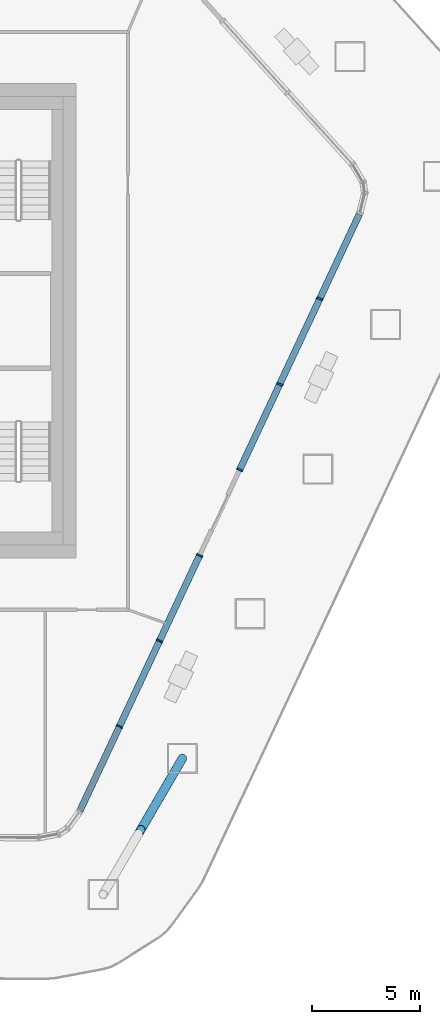
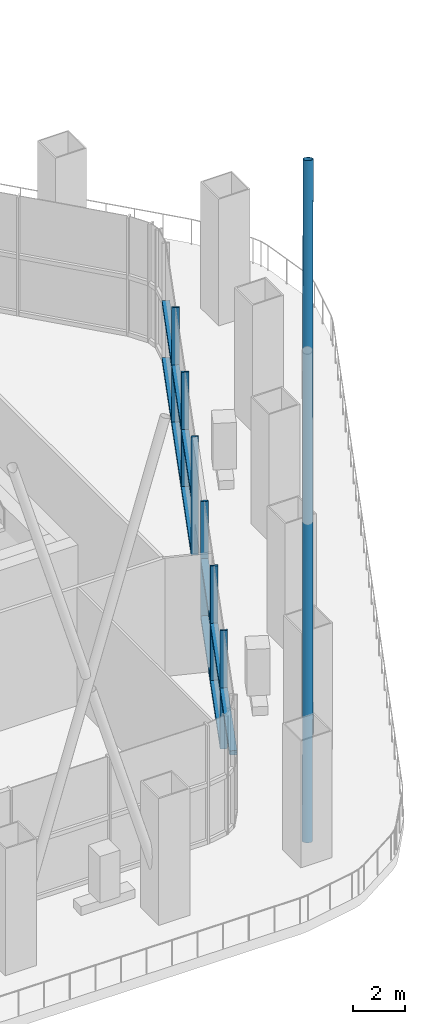
# One storey, part 3 of 20: 19 members, 2 elements without a shape of their own.
"""IFC4 building model written with IfcOpenShell, lengths in metres."""

from ifc_helpers import new_model, si_unit, direction, frame, origin, origin_2d, place, context, subcontext, project, spatial, rectangle, hollow_circle, extrude, material, layer, layer_set, material_profile, profile_set, type_object, element, aggregate, save


model = new_model("IFC4")

# Units and contexts
model_context = context("Model", 3, precision=1e-05, world=origin(), true_north=direction((0.0, 1.0)))
body_context = subcontext(model_context, "Body", "Model", "MODEL_VIEW")
ifc_project = project(units=[si_unit("LENGTHUNIT", "METRE"), si_unit("AREAUNIT", "SQUARE_METRE"), si_unit("VOLUMEUNIT", "CUBIC_METRE"), si_unit("PLANEANGLEUNIT", "RADIAN"), si_unit("MASSUNIT", "GRAM", prefix="KILO")], contexts=[model_context])

# Site, building, storey
site_placement = place(None, origin())
site = spatial("IfcSite", under=ifc_project, at=site_placement, CompositionType="ELEMENT")
building_placement = place(site_placement, origin())
building = spatial("IfcBuilding", under=site, at=building_placement, Name="Dongbaek Canopy Tower", CompositionType="ELEMENT")
storey_placement = place(building_placement, frame((0.0, 0.0, 353.0)))
storey = spatial("IfcBuildingStorey", under=building, at=storey_placement, Name="L76", CompositionType="ELEMENT", Elevation=353.0)

# Members
ifc_material_1 = material(Name="Steel S355", Category="steel")
ifc_material_profile_1 = material_profile(ifc_material_1, hollow_circle(Radius=0.203125, WallThickness=0.0126953125, at=origin_2d()), Name="COLONNADE BRACE CHS 406.4x12.7 Steel S355")
ifc_profile_set_1 = profile_set([ifc_material_profile_1], Name="Steel S355")
member_type_1 = type_object("IfcMemberType", Name="COLONNADE BRACE CHS 406.4x12.7 Steel S355", PredefinedType="BRACE", material=ifc_profile_set_1)
member_1_placement = place(storey_placement, frame((15.251953125, -26.60693359375, 0.60009765625), z_axis=(0.130560174184, 0.224325723008, 0.965728746033), x_axis=(-0.86427566346, 0.503018466412, 0.0)))
element("IfcMember", 1, at=member_1_placement, inside=storey, type_object=member_type_1, Name="XBRACE:08:0", PredefinedType="BRACE", context=body_context, shape_type="SweptSolid", body=[
    extrude(hollow_circle(Radius=0.203125, WallThickness=0.0126953125, at=origin_2d()), origin(), (0.0, 0.0, 1.0), 28.13330078125),
])
member_2_placement = place(storey_placement, frame((18.925048828125, -20.2958984375, 0.60009765625), z_axis=(-0.150857784555, -0.259217990853, 0.953964340035), x_axis=(0.864290295426, -0.502993325236, 0.0)))
element("IfcMember", 2, at=member_2_placement, inside=storey, type_object=member_type_1, Name="XBRACE:08:1", PredefinedType="BRACE", context=body_context, shape_type="SweptSolid", body=[
    extrude(hollow_circle(Radius=0.203125, WallThickness=0.0126953125, at=origin_2d()), origin(), (0.0, 0.0, 1.0), 12.747802734375),
])

# Curtain wall, members
ifc_material_2 = material(Name="Aluminium 6063-T6 pale anodised", Category="aluminium")
ifc_layer = layer(ifc_material_2, 0.300048828125)
ifc_layer_set = layer_set([ifc_layer], Name="CW-5 observation lounge curtain wall")
curtain_wall_type = type_object("IfcCurtainWallType", Name="CW-5 observation lounge curtain wall", PredefinedType="NOTDEFINED", material=ifc_layer_set)
curtain_wall_1_placement = place(storey_placement, origin())
curtain_wall_1 = element("IfcCurtainWall", 3, at=curtain_wall_1_placement, inside=storey, type_object=curtain_wall_type, Name="CW-5 curtain wall F5.1", PredefinedType="NOTDEFINED")
ifc_material_3 = material(Name="Aluminium 6063-T6 pale anodised", Category="aluminium")
ifc_material_profile_2 = material_profile(ifc_material_3, rectangle(XDim=0.300048828125, YDim=0.080078125, at=origin_2d()), Name="CW-5 mullion 80 x 300")
ifc_profile_set_2 = profile_set([ifc_material_profile_2], Name="Aluminium 6063-T6 pale anodised")
member_type_2 = type_object("IfcMemberType", Name="CW-5 mullion 80 x 300", PredefinedType="MULLION", material=ifc_profile_set_2)
member_3_placement = place(storey_placement, frame((16.007568359375, -18.813232421875, 0.0), z_axis=(0.0, 0.0, 1.0), x_axis=(0.905604656845, -0.424122866043, 0.0)))
member_3 = element("IfcMember", 4, at=member_3_placement, type_object=member_type_2, Name="CW-5 mullion F5.1.2", PredefinedType="MULLION", context=body_context, shape_type="SweptSolid", body=[
    extrude(rectangle(XDim=0.300048828125, YDim=0.080078125, at=origin_2d()), origin(), (0.0, 0.0, 1.0), 5.60009765625),
])
member_4_placement = place(storey_placement, frame((17.865966796875, -14.84521484375, 0.0), z_axis=(0.0, 0.0, 1.0), x_axis=(0.905604656845, -0.424122866043, 0.0)))
member_4 = element("IfcMember", 5, at=member_4_placement, type_object=member_type_2, Name="CW-5 mullion F5.1.3", PredefinedType="MULLION", context=body_context, shape_type="SweptSolid", body=[
    extrude(rectangle(XDim=0.300048828125, YDim=0.080078125, at=origin_2d()), origin(), (0.0, 0.0, 1.0), 5.60009765625),
])
member_5_placement = place(storey_placement, frame((19.724365234375, -10.87744140625, 0.0), z_axis=(0.0, 0.0, 1.0), x_axis=(0.905604656845, -0.424122866043, 0.0)))
member_5 = element("IfcMember", 6, at=member_5_placement, type_object=member_type_2, Name="CW-5 mullion F5.1.4", PredefinedType="MULLION", context=body_context, shape_type="SweptSolid", body=[
    extrude(rectangle(XDim=0.300048828125, YDim=0.080078125, at=origin_2d()), origin(), (0.0, 0.0, 1.0), 5.60009765625),
])

curtain_wall_2_placement = place(storey_placement, origin())
curtain_wall_2 = element("IfcCurtainWall", 7, at=curtain_wall_2_placement, inside=storey, type_object=curtain_wall_type, Name="CW-5 curtain wall F5.2", PredefinedType="NOTDEFINED")
member_6_placement = place(storey_placement, frame((21.58251953125, -6.909423828125, 0.0), z_axis=(0.0, 0.0, 1.0), x_axis=(0.905604656845, -0.424122866043, 0.0)))
member_6 = element("IfcMember", 8, at=member_6_placement, type_object=member_type_2, Name="CW-5 mullion F5.2.1", PredefinedType="MULLION", context=body_context, shape_type="SweptSolid", body=[
    extrude(rectangle(XDim=0.300048828125, YDim=0.080078125, at=origin_2d()), origin(), (0.0, 0.0, 1.0), 5.60009765625),
])
member_7_placement = place(storey_placement, frame((23.44091796875, -2.94140625, 0.0), z_axis=(0.0, 0.0, 1.0), x_axis=(0.905604656845, -0.424122866043, 0.0)))
member_7 = element("IfcMember", 9, at=member_7_placement, type_object=member_type_2, Name="CW-5 mullion F5.2.2", PredefinedType="MULLION", context=body_context, shape_type="SweptSolid", body=[
    extrude(rectangle(XDim=0.300048828125, YDim=0.080078125, at=origin_2d()), origin(), (0.0, 0.0, 1.0), 5.60009765625),
])
member_8_placement = place(storey_placement, frame((25.29931640625, 1.0263671875, 0.0), z_axis=(0.0, 0.0, 1.0), x_axis=(0.905604656845, -0.424122866043, 0.0)))
member_8 = element("IfcMember", 10, at=member_8_placement, type_object=member_type_2, Name="CW-5 mullion F5.2.3", PredefinedType="MULLION", context=body_context, shape_type="SweptSolid", body=[
    extrude(rectangle(XDim=0.300048828125, YDim=0.080078125, at=origin_2d()), origin(), (0.0, 0.0, 1.0), 5.60009765625),
])

# Member
ifc_material_4 = material(Name="Aluminium 6063-T6 pale anodised", Category="aluminium")
ifc_material_profile_3 = material_profile(ifc_material_4, rectangle(XDim=0.300048828125, YDim=0.199951171875, at=origin_2d()), Name="CW-5 transom 200 x 300")
ifc_profile_set_3 = profile_set([ifc_material_profile_3], Name="Aluminium 6063-T6 pale anodised")
member_type_3 = type_object("IfcMemberType", Name="CW-5 transom 200 x 300", PredefinedType="USERDEFINED", material=ifc_profile_set_3)
member_9_placement = place(storey_placement, frame((14.175537109375, -22.725341796875, 2.800048828125), z_axis=(0.424115811944, 0.905607960466, 0.0), x_axis=(-0.905607960466, 0.424115811944, 0.0)))
member_9 = element("IfcMember", 11, at=member_9_placement, type_object=member_type_3, Name="CW-5 transom F5.1.1.2", ObjectType="TRANSOM", PredefinedType="USERDEFINED", context=body_context, shape_type="SweptSolid", body=[
    extrude(rectangle(XDim=0.300048828125, YDim=0.199951171875, at=origin_2d()), origin(), (0.0, 0.0, 1.0), 4.267822265625),
])

member_10_placement = place(storey_placement, frame((16.02978515625, -18.76611328125, 0.10009765625), z_axis=(0.42412238481, 0.905604882221, 0.0), x_axis=(-0.905604882221, 0.42412238481, 0.0)))
member_10 = element("IfcMember", 12, at=member_10_placement, type_object=member_type_3, Name="CW-5 transom F5.1.2.1", ObjectType="TRANSOM", PredefinedType="USERDEFINED", context=body_context, shape_type="SweptSolid", body=[
    extrude(rectangle(XDim=0.300048828125, YDim=0.199951171875, at=origin_2d()), origin(), (0.0, 0.0, 1.0), 4.277587890625),
])

member_11_placement = place(storey_placement, frame((16.02978515625, -18.76611328125, 2.800048828125), z_axis=(0.42412238481, 0.905604882221, 0.0), x_axis=(-0.905604882221, 0.42412238481, 0.0)))
member_11 = element("IfcMember", 13, at=member_11_placement, type_object=member_type_3, Name="CW-5 transom F5.1.2.2", ObjectType="TRANSOM", PredefinedType="USERDEFINED", context=body_context, shape_type="SweptSolid", body=[
    extrude(rectangle(XDim=0.300048828125, YDim=0.199951171875, at=origin_2d()), origin(), (0.0, 0.0, 1.0), 4.277587890625),
])

member_12_placement = place(storey_placement, frame((17.887939453125, -14.798095703125, 0.10009765625), z_axis=(0.42412238481, 0.905604882221, 0.0), x_axis=(-0.905604882221, 0.42412238481, 0.0)))
member_12 = element("IfcMember", 14, at=member_12_placement, type_object=member_type_3, Name="CW-5 transom F5.1.3.1", ObjectType="TRANSOM", PredefinedType="USERDEFINED", context=body_context, shape_type="SweptSolid", body=[
    extrude(rectangle(XDim=0.300048828125, YDim=0.199951171875, at=origin_2d()), origin(), (0.0, 0.0, 1.0), 4.277587890625),
])

member_13_placement = place(storey_placement, frame((17.887939453125, -14.798095703125, 2.800048828125), z_axis=(0.42412238481, 0.905604882221, 0.0), x_axis=(-0.905604882221, 0.42412238481, 0.0)))
member_13 = element("IfcMember", 15, at=member_13_placement, type_object=member_type_3, Name="CW-5 transom F5.1.3.2", ObjectType="TRANSOM", PredefinedType="USERDEFINED", context=body_context, shape_type="SweptSolid", body=[
    extrude(rectangle(XDim=0.300048828125, YDim=0.199951171875, at=origin_2d()), origin(), (0.0, 0.0, 1.0), 4.277587890625),
])

aggregate(curtain_wall_1, [member_3, member_4, member_5, member_9, member_10, member_11, member_12, member_13])

member_14_placement = place(storey_placement, frame((21.604736328125, -6.8623046875, 0.10009765625), z_axis=(0.42412238481, 0.905604882221, 0.0), x_axis=(-0.905604882221, 0.42412238481, 0.0)))
member_14 = element("IfcMember", 16, at=member_14_placement, type_object=member_type_3, Name="CW-5 transom F5.2.1.1", ObjectType="TRANSOM", PredefinedType="USERDEFINED", context=body_context, shape_type="SweptSolid", body=[
    extrude(rectangle(XDim=0.300048828125, YDim=0.199951171875, at=origin_2d()), origin(), (0.0, 0.0, 1.0), 4.277587890625),
])

member_15_placement = place(storey_placement, frame((21.604736328125, -6.8623046875, 2.800048828125), z_axis=(0.42412238481, 0.905604882221, 0.0), x_axis=(-0.905604882221, 0.42412238481, 0.0)))
member_15 = element("IfcMember", 17, at=member_15_placement, type_object=member_type_3, Name="CW-5 transom F5.2.1.2", ObjectType="TRANSOM", PredefinedType="USERDEFINED", context=body_context, shape_type="SweptSolid", body=[
    extrude(rectangle(XDim=0.300048828125, YDim=0.199951171875, at=origin_2d()), origin(), (0.0, 0.0, 1.0), 4.277587890625),
])

member_16_placement = place(storey_placement, frame((23.462890625, -2.894287109375, 0.10009765625), z_axis=(0.42412238481, 0.905604882221, 0.0), x_axis=(-0.905604882221, 0.42412238481, 0.0)))
member_16 = element("IfcMember", 18, at=member_16_placement, type_object=member_type_3, Name="CW-5 transom F5.2.2.1", ObjectType="TRANSOM", PredefinedType="USERDEFINED", context=body_context, shape_type="SweptSolid", body=[
    extrude(rectangle(XDim=0.300048828125, YDim=0.199951171875, at=origin_2d()), origin(), (0.0, 0.0, 1.0), 4.277587890625),
])

member_17_placement = place(storey_placement, frame((23.462890625, -2.894287109375, 2.800048828125), z_axis=(0.42412238481, 0.905604882221, 0.0), x_axis=(-0.905604882221, 0.42412238481, 0.0)))
member_17 = element("IfcMember", 19, at=member_17_placement, type_object=member_type_3, Name="CW-5 transom F5.2.2.2", ObjectType="TRANSOM", PredefinedType="USERDEFINED", context=body_context, shape_type="SweptSolid", body=[
    extrude(rectangle(XDim=0.300048828125, YDim=0.199951171875, at=origin_2d()), origin(), (0.0, 0.0, 1.0), 4.277587890625),
])

member_18_placement = place(storey_placement, frame((25.3212890625, 1.073486328125, 0.10009765625), z_axis=(0.424115811944, 0.905607960466, 0.0), x_axis=(-0.905607960466, 0.424115811944, 0.0)))
member_18 = element("IfcMember", 20, at=member_18_placement, type_object=member_type_3, Name="CW-5 transom F5.2.3.1", ObjectType="TRANSOM", PredefinedType="USERDEFINED", context=body_context, shape_type="SweptSolid", body=[
    extrude(rectangle(XDim=0.300048828125, YDim=0.199951171875, at=origin_2d()), origin(), (0.0, 0.0, 1.0), 4.267822265625),
])

member_19_placement = place(storey_placement, frame((25.3212890625, 1.073486328125, 2.800048828125), z_axis=(0.424115811944, 0.905607960466, 0.0), x_axis=(-0.905607960466, 0.424115811944, 0.0)))
member_19 = element("IfcMember", 21, at=member_19_placement, type_object=member_type_3, Name="CW-5 transom F5.2.3.2", ObjectType="TRANSOM", PredefinedType="USERDEFINED", context=body_context, shape_type="SweptSolid", body=[
    extrude(rectangle(XDim=0.300048828125, YDim=0.199951171875, at=origin_2d()), origin(), (0.0, 0.0, 1.0), 4.267822265625),
])

aggregate(curtain_wall_2, [member_6, member_7, member_8, member_14, member_15, member_16, member_17, member_18, member_19])

save(model, "model.ifc")
